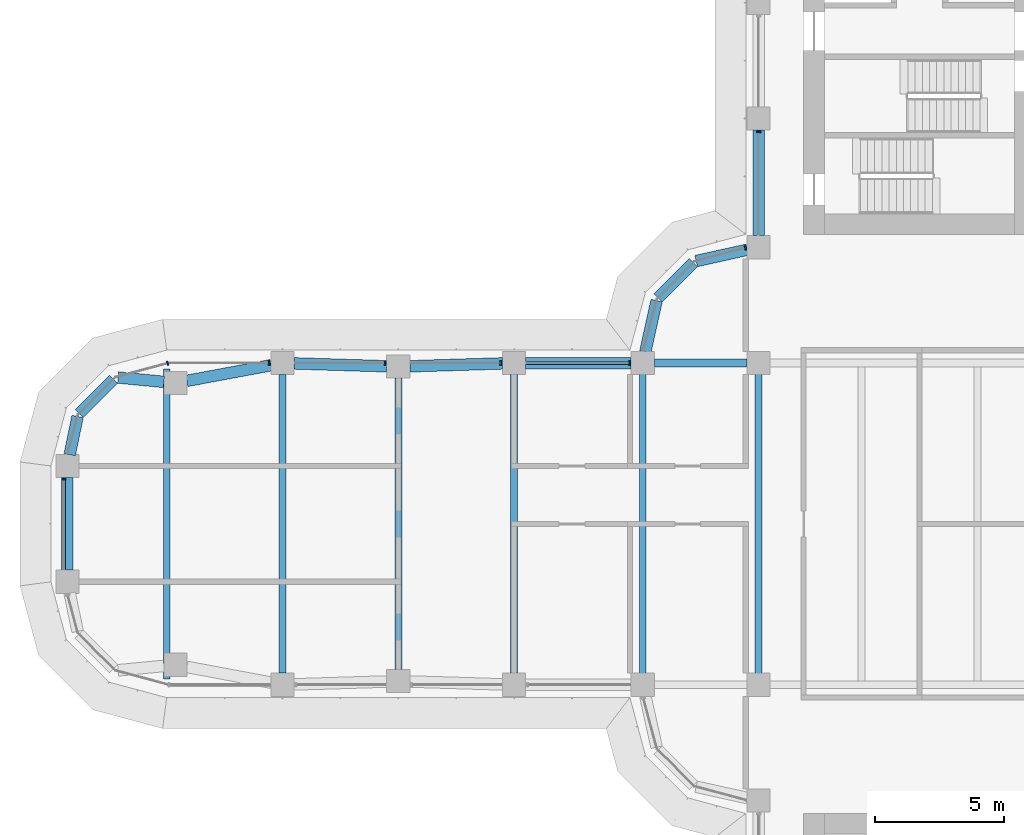
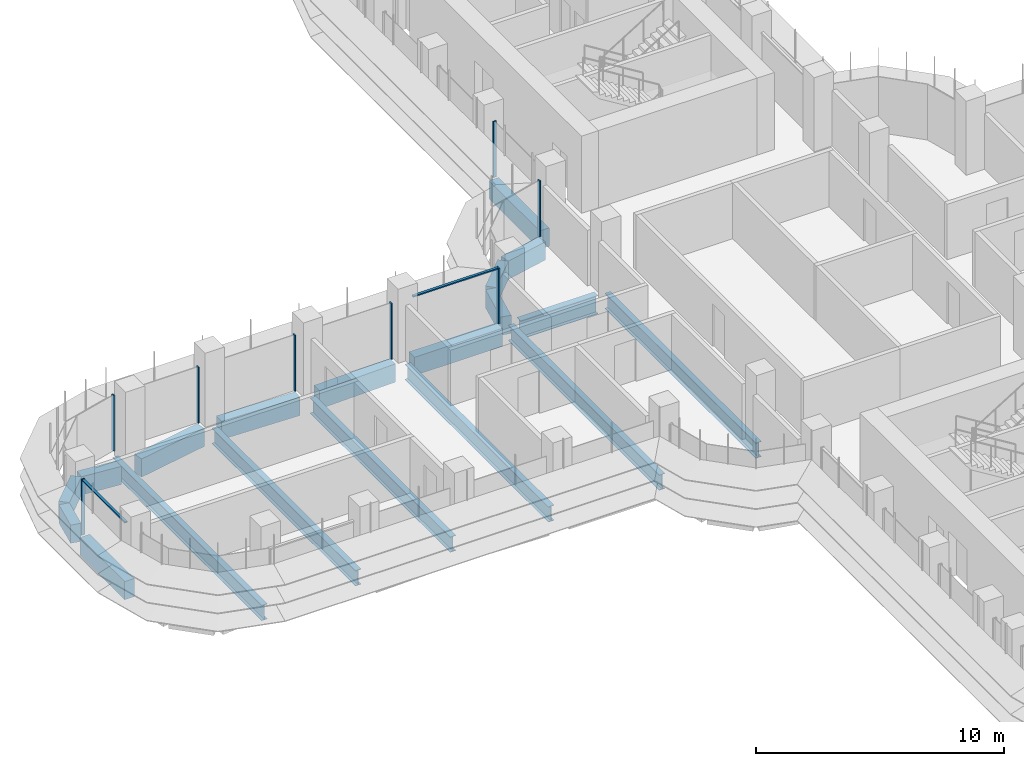
# One storey, part 6 of 22: 19 beams, 10 members, 5 elements without a shape of their own.
"""IFC4 building model written with IfcOpenShell, lengths in metres."""

from ifc_helpers import new_model, si_unit, direction, frame, origin, origin_2d, place, context, subcontext, project, spatial, polyline, rectangle, i_section, outline, extrude, source, transform, mapped, material, material_profile, profile_set, type_object, element, aggregate, save


model = new_model("IFC4")

# Units and contexts
model_context = context("Model", 3, precision=1e-05, world=origin(), true_north=direction((0.0, 1.0)))
body_context = subcontext(model_context, "Body", "Model", "MODEL_VIEW")
ifc_project = project(units=[si_unit("LENGTHUNIT", "METRE"), si_unit("AREAUNIT", "SQUARE_METRE"), si_unit("VOLUMEUNIT", "CUBIC_METRE"), si_unit("PLANEANGLEUNIT", "RADIAN"), si_unit("MASSUNIT", "GRAM", prefix="KILO")], contexts=[model_context])

# Site, building, storey
site_placement = place(None, origin())
site = spatial("IfcSite", under=ifc_project, at=site_placement, CompositionType="ELEMENT")
building_placement = place(site_placement, origin())
building = spatial("IfcBuilding", under=site, at=building_placement, Name="Zarbagh Exchange Tower", CompositionType="ELEMENT")
storey_placement = place(building_placement, frame((0.0, 0.0, 98.0)))
storey = spatial("IfcBuildingStorey", under=building, at=storey_placement, Name="L22", CompositionType="ELEMENT", Elevation=98.0)

# Beams
ifc_material_1 = material(Name="Steel ASTM A992 Gr 50", Category="steel")
ifc_material_profile_1 = material_profile(ifc_material_1, i_section(OverallWidth=0.2666015625, OverallDepth=0.7568359375, WebThickness=0.013916015625, FlangeThickness=0.019287109375, at=origin_2d()), Name="W30X108")
ifc_profile_set_1 = profile_set([ifc_material_profile_1], Name="Steel ASTM A992 Gr 50")
beam_type_1 = type_object("IfcBeamType", Name="Floor beam W30X108", PredefinedType="BEAM", material=ifc_profile_set_1)
for number, where, z_axis, x_axis, name in (
    (1, (-10.75, -6.09765625, -0.5283203125), (0.0, 1.0, 0.0), (-1.0, 0.0, 0.0), "Steel floor beam"),
    (2, (-6.25, -6.09765625, -0.5283203125), (0.0, 1.0, 0.0), (-1.0, 0.0, 0.0), "Steel floor beam"),
):
    element("IfcBeam", number, at=place(storey_placement, frame(where, z_axis=z_axis, x_axis=x_axis)), inside=storey, type_object=beam_type_1, Name=name, PredefinedType="BEAM", context=body_context, shape_type="SweptSolid", body=[
        extrude(i_section(OverallWidth=0.2666015625, OverallDepth=0.7568359375, WebThickness=0.013916015625, FlangeThickness=0.019287109375, at=origin_2d()), origin(), (0.0, 0.0, 1.0), 12.1953125),
    ])
beam_1_placement = place(storey_placement, frame((-15.75, -5.800048828125, -0.5283203125), z_axis=(0.0, 1.0, 0.0), x_axis=(-1.0, 0.0, 0.0)))
element("IfcBeam", 3, at=beam_1_placement, inside=storey, type_object=beam_type_1, Name="Steel floor beam", PredefinedType="BEAM", context=body_context, shape_type="SweptSolid", body=[
    extrude(i_section(OverallWidth=0.2666015625, OverallDepth=0.7568359375, WebThickness=0.013916015625, FlangeThickness=0.019287109375, at=origin_2d()), origin(), (0.0, 0.0, 1.0), 11.60009765625),
])
beam_2_placement = place(storey_placement, frame((-20.25, -5.659912109375, -0.5283203125), z_axis=(0.0, 1.0, 0.0), x_axis=(-1.0, 0.0, 0.0)))
element("IfcBeam", 4, at=beam_2_placement, inside=storey, type_object=beam_type_1, Name="Steel floor beam", PredefinedType="BEAM", context=body_context, shape_type="SweptSolid", body=[
    extrude(i_section(OverallWidth=0.2666015625, OverallDepth=0.7568359375, WebThickness=0.013916015625, FlangeThickness=0.019287109375, at=origin_2d()), origin(), (0.0, 0.0, 1.0), 11.31982421875),
])
beam_3_placement = place(storey_placement, frame((-24.75, -5.800048828125, -0.5283203125), z_axis=(0.0, 1.0, 0.0), x_axis=(-1.0, 0.0, 0.0)))
element("IfcBeam", 5, at=beam_3_placement, inside=storey, type_object=beam_type_1, Name="Steel floor beam", PredefinedType="BEAM", context=body_context, shape_type="SweptSolid", body=[
    extrude(i_section(OverallWidth=0.2666015625, OverallDepth=0.7568359375, WebThickness=0.013916015625, FlangeThickness=0.019287109375, at=origin_2d()), origin(), (0.0, 0.0, 1.0), 11.60009765625),
])
beam_4_placement = place(storey_placement, frame((-29.25, -6.02490234375, -0.5283203125), z_axis=(0.0, 1.0, 0.0), x_axis=(-1.0, 0.0, 0.0)))
element("IfcBeam", 6, at=beam_4_placement, inside=storey, type_object=beam_type_1, Name="Steel floor beam", PredefinedType="BEAM", context=body_context, shape_type="SweptSolid", body=[
    extrude(i_section(OverallWidth=0.2666015625, OverallDepth=0.7568359375, WebThickness=0.013916015625, FlangeThickness=0.019287109375, at=origin_2d()), origin(), (0.0, 0.0, 1.0), 12.0498046875),
])
ifc_material_profile_2 = material_profile(ifc_material_1, i_section(OverallWidth=0.3046875, OverallDepth=0.911865234375, WebThickness=0.015869140625, FlangeThickness=0.02392578125, at=origin_2d()), Name="W36X150")
ifc_profile_set_2 = profile_set([ifc_material_profile_2], Name="Steel ASTM A992 Gr 50")
beam_type_2 = type_object("IfcBeamType", Name="Floor girder W36X150", PredefinedType="BEAM", material=ifc_profile_set_2)
beam_5_placement = place(storey_placement, frame((-10.300048828125, 6.25, -0.60595703125), z_axis=(1.0, 0.0, 0.0), x_axis=(0.0, 1.0, 0.0)))
element("IfcBeam", 7, at=beam_5_placement, inside=storey, type_object=beam_type_2, Name="Steel girder", PredefinedType="BEAM", context=body_context, shape_type="SweptSolid", body=[
    extrude(i_section(OverallWidth=0.3046875, OverallDepth=0.911865234375, WebThickness=0.015869140625, FlangeThickness=0.02392578125, at=origin_2d()), origin(), (0.0, 0.0, 1.0), 3.60009765625),
])
ifc_material_2 = material(Name="Concrete C60/75", Category="concrete")
ifc_material_profile_3 = material_profile(ifc_material_2, rectangle(XDim=0.449951171875, YDim=0.89990234375, at=origin_2d()), Name="RC spandrel beam 450 x 900 C60/75")
ifc_profile_set_3 = profile_set([ifc_material_profile_3], Name="Concrete C60/75")
beam_type_3 = type_object("IfcBeamType", Name="RC spandrel beam 450 x 900 C60/75", PredefinedType="SPANDREL", material=ifc_profile_set_3)
beam_6_placement = place(storey_placement, frame((-33.110107421875, -1.800048828125, -0.60009765625), z_axis=(0.0, 1.0, 0.0), x_axis=(-1.0, 0.0, 0.0)))
element("IfcBeam", 8, at=beam_6_placement, inside=storey, type_object=beam_type_3, Name="RC spandrel beam", PredefinedType="SPANDREL", context=body_context, shape_type="SweptSolid", body=[
    extrude(rectangle(XDim=0.449951171875, YDim=0.89990234375, at=origin_2d()), origin(), (0.0, 0.0, 1.0), 3.60009765625),
])
beam_7_placement = place(storey_placement, frame((-33.01904296875, 2.690673828125, -0.60009765625), z_axis=(0.202275417995, 0.979328675816, 0.0), x_axis=(-0.979328675816, 0.202275417995, 0.0)))
element("IfcBeam", 9, at=beam_7_placement, inside=storey, type_object=beam_type_3, Name="RC spandrel beam", PredefinedType="SPANDREL", context=body_context, shape_type="SweptSolid", body=[
    extrude(rectangle(XDim=0.449951171875, YDim=0.89990234375, at=origin_2d()), origin(), (0.0, 0.0, 1.0), 1.515869140625),
])
beam_8_placement = place(storey_placement, frame((-32.651123046875, 4.288818359375, -0.60009765625), z_axis=(0.707106781187, 0.707106781187, 0.0), x_axis=(-0.707106781187, 0.707106781187, 0.0)))
element("IfcBeam", 10, at=beam_8_placement, inside=storey, type_object=beam_type_3, Name="RC spandrel beam", PredefinedType="SPANDREL", context=body_context, shape_type="SweptSolid", body=[
    extrude(rectangle(XDim=0.449951171875, YDim=0.89990234375, at=origin_2d()), origin(), (0.0, 0.0, 1.0), 1.887939453125),
])
beam_9_placement = place(storey_placement, frame((-31.135498046875, 5.688720703125, -0.60009765625), z_axis=(0.995433267802, -0.095459988228, 0.0), x_axis=(0.095459988228, 0.995433267802, 0.0)))
element("IfcBeam", 11, at=beam_9_placement, inside=storey, type_object=beam_type_3, Name="RC spandrel beam", PredefinedType="SPANDREL", context=body_context, shape_type="SweptSolid", body=[
    extrude(rectangle(XDim=0.449951171875, YDim=0.89990234375, at=origin_2d()), origin(), (0.0, 0.0, 1.0), 1.78759765625),
])
beam_10_placement = place(storey_placement, frame((-28.465576171875, 5.5576171875, -0.60009765625), z_axis=(0.98308156541, 0.183168326277, 0.0), x_axis=(-0.183168326277, 0.98308156541, 0.0)))
element("IfcBeam", 12, at=beam_10_placement, inside=storey, type_object=beam_type_3, Name="RC spandrel beam", PredefinedType="SPANDREL", context=body_context, shape_type="SweptSolid", body=[
    extrude(rectangle(XDim=0.449951171875, YDim=0.89990234375, at=origin_2d()), origin(), (0.0, 0.0, 1.0), 3.32958984375),
])
for number, where, z_axis, x_axis, name in (
    (13, (-24.30029296875, 6.236083984375, -0.60009765625), (0.999516035224, -0.031107801747, 0.0), (0.031107801747, 0.999516035224, 0.0), "RC spandrel beam"),
    (14, (-19.80029296875, 6.1240234375, -0.60009765625), (0.999516035224, 0.031107801747, 0.0), (-0.031107801747, 0.999516035224, 0.0), "RC spandrel beam"),
):
    element("IfcBeam", number, at=place(storey_placement, frame(where, z_axis=z_axis, x_axis=x_axis)), inside=storey, type_object=beam_type_3, Name=name, PredefinedType="SPANDREL", context=body_context, shape_type="SweptSolid", body=[
        extrude(rectangle(XDim=0.449951171875, YDim=0.89990234375, at=origin_2d()), origin(), (0.0, 0.0, 1.0), 3.602294921875),
    ])
beam_11_placement = place(storey_placement, frame((-15.300048828125, 6.25, -0.60009765625), z_axis=(1.0, 0.0, 0.0), x_axis=(0.0, 1.0, 0.0)))
element("IfcBeam", 15, at=beam_11_placement, inside=storey, type_object=beam_type_3, Name="RC spandrel beam", PredefinedType="SPANDREL", context=body_context, shape_type="SweptSolid", body=[
    extrude(rectangle(XDim=0.449951171875, YDim=0.89990234375, at=origin_2d()), origin(), (0.0, 0.0, 1.0), 4.10009765625),
])
beam_12_placement = place(storey_placement, frame((-10.65283203125, 6.689453125, -0.60009765625), z_axis=(0.216117666208, 0.976367325525, 0.0), x_axis=(-0.976367325525, 0.216117666208, 0.0)))
element("IfcBeam", 16, at=beam_12_placement, inside=storey, type_object=beam_type_3, Name="RC spandrel beam", PredefinedType="SPANDREL", context=body_context, shape_type="SweptSolid", body=[
    extrude(rectangle(XDim=0.449951171875, YDim=0.89990234375, at=origin_2d()), origin(), (0.0, 0.0, 1.0), 2.03564453125),
])
beam_13_placement = place(storey_placement, frame((-10.15234375, 8.78759765625, -0.60009765625), z_axis=(0.707106781187, 0.707106781187, 0.0), x_axis=(-0.707106781187, 0.707106781187, 0.0)))
element("IfcBeam", 17, at=beam_13_placement, inside=storey, type_object=beam_type_3, Name="RC spandrel beam", PredefinedType="SPANDREL", context=body_context, shape_type="SweptSolid", body=[
    extrude(rectangle(XDim=0.449951171875, YDim=0.89990234375, at=origin_2d()), origin(), (0.0, 0.0, 1.0), 1.929931640625),
])
beam_14_placement = place(storey_placement, frame((-8.677001953125, 10.212890625, -0.60009765625), z_axis=(0.976367325525, 0.216117666208, 0.0), x_axis=(-0.216117666208, 0.976367325525, 0.0)))
element("IfcBeam", 18, at=beam_14_placement, inside=storey, type_object=beam_type_3, Name="RC spandrel beam", PredefinedType="SPANDREL", context=body_context, shape_type="SweptSolid", body=[
    extrude(rectangle(XDim=0.449951171875, YDim=0.89990234375, at=origin_2d()), origin(), (0.0, 0.0, 1.0), 2.03564453125),
])
beam_15_placement = place(storey_placement, frame((-6.25, 11.199951171875, -0.60009765625), z_axis=(0.0, 1.0, 0.0), x_axis=(-1.0, 0.0, 0.0)))
element("IfcBeam", 19, at=beam_15_placement, inside=storey, type_object=beam_type_3, Name="RC spandrel beam", PredefinedType="SPANDREL", context=body_context, shape_type="SweptSolid", body=[
    extrude(rectangle(XDim=0.449951171875, YDim=0.89990234375, at=origin_2d()), origin(), (0.0, 0.0, 1.0), 4.10009765625),
])

# Curtain wall, member
ifc_material_3 = material(Name="Anodised aluminium frame and glazing", Category="aluminium")
curtain_wall_type = type_object("IfcCurtainWallType", Name="CWA Ribbon glazing, lower zones", PredefinedType="NOTDEFINED", material=ifc_material_3)
curtain_wall_1_placement = place(storey_placement, origin())
curtain_wall_1 = element("IfcCurtainWall", 20, at=curtain_wall_1_placement, inside=storey, type_object=curtain_wall_type, Name="CWA56 curtain wall", PredefinedType="NOTDEFINED")
ifc_material_4 = material(Name="Anodised aluminium frame", Category="aluminium")
member_type_1 = type_object("IfcMemberType", Name="MUA Mullion, anodised aluminium frame", PredefinedType="MULLION", material=ifc_material_4)
shared_shape_1 = source(origin(), body_context, "Body", "SweptSolid", [
    extrude(outline(polyline([(0.0, -0.080078125), (0.06005859375, -0.080078125), (0.06005859375, 0.080078125), (0.0, 0.080078125), (0.0, -0.080078125)])), origin(), (0.0, 0.0, 1.0), 2.75),
])
placement = place(storey_placement, origin())
member_1 = element("IfcMember", 21, at=placement, type_object=member_type_1, Name="CWA56 mullion 4.1", PredefinedType="MULLION", context=body_context, shape_type="MappedRepresentation", body=[
    mapped(shared_shape_1, transform((-6.25, 15.260009765625, 0.0), x_axis=(0.0, -1.0, 0.0), y_axis=(1.0, 0.0, 0.0), z_axis=(0.0, 0.0, 1.0))),
])
aggregate(curtain_wall_1, [member_1])

curtain_wall_2_placement = place(storey_placement, origin())
curtain_wall_2 = element("IfcCurtainWall", 22, at=curtain_wall_2_placement, inside=storey, type_object=curtain_wall_type, Name="CWA29 curtain wall", PredefinedType="NOTDEFINED")
member_2 = element("IfcMember", 23, at=placement, type_object=member_type_1, Name="CWA29 mullion 1.1", PredefinedType="MULLION", context=body_context, shape_type="MappedRepresentation", body=[
    mapped(shared_shape_1, transform((-6.739990234375, 10.735107421875, 0.0), x_axis=(-0.965924289636, -0.258824779902, 0.0), y_axis=(0.258824779902, -0.965924289636, 0.0), z_axis=(0.0, 0.0, 1.0))),
])
aggregate(curtain_wall_2, [member_2])

# Curtain wall, members
curtain_wall_3_placement = place(storey_placement, origin())
curtain_wall_3 = element("IfcCurtainWall", 24, at=curtain_wall_3_placement, inside=storey, type_object=curtain_wall_type, Name="CWA32 curtain wall", PredefinedType="NOTDEFINED")
member_3 = element("IfcMember", 25, at=placement, type_object=member_type_1, Name="CWA32 mullion 1.1", PredefinedType="MULLION", context=body_context, shape_type="MappedRepresentation", body=[
    mapped(shared_shape_1, transform((-11.239990234375, 6.25, 0.0), x_axis=(-1.0, 0.0, 0.0), y_axis=(0.0, -1.0, 0.0), z_axis=(0.0, 0.0, 1.0))),
])
member_4 = element("IfcMember", 26, at=placement, type_object=member_type_1, Name="CWA32 mullion 2.1", PredefinedType="MULLION", context=body_context, shape_type="MappedRepresentation", body=[
    mapped(shared_shape_1, transform((-16.239990234375, 6.25, 0.0), x_axis=(-1.0, 0.0, 0.0), y_axis=(0.0, -1.0, 0.0), z_axis=(0.0, 0.0, 1.0))),
])
member_5 = element("IfcMember", 27, at=placement, type_object=member_type_1, Name="CWA32 mullion 3.1", PredefinedType="MULLION", context=body_context, shape_type="MappedRepresentation", body=[
    mapped(shared_shape_1, transform((-20.739990234375, 6.25, 0.0), x_axis=(-1.0, 0.0, 0.0), y_axis=(0.0, -1.0, 0.0), z_axis=(0.0, 0.0, 1.0))),
])
member_6 = element("IfcMember", 28, at=placement, type_object=member_type_1, Name="CWA32 mullion 4.1", PredefinedType="MULLION", context=body_context, shape_type="MappedRepresentation", body=[
    mapped(shared_shape_1, transform((-25.239990234375, 6.25, 0.0), x_axis=(-1.0, 0.0, 0.0), y_axis=(0.0, -1.0, 0.0), z_axis=(0.0, 0.0, 1.0))),
])

# Curtain wall, member
curtain_wall_4_placement = place(storey_placement, origin())
curtain_wall_4 = element("IfcCurtainWall", 29, at=curtain_wall_4_placement, inside=storey, type_object=curtain_wall_type, Name="CWA33 curtain wall", PredefinedType="NOTDEFINED")
member_7 = element("IfcMember", 30, at=placement, type_object=member_type_1, Name="CWA33 mullion 1.1", PredefinedType="MULLION", context=body_context, shape_type="MappedRepresentation", body=[
    mapped(shared_shape_1, transform((-29.18408203125, 6.25, 0.0), x_axis=(-0.965924289636, -0.258824779902, 0.0), y_axis=(0.258824779902, -0.965924289636, 0.0), z_axis=(0.0, 0.0, 1.0))),
])
aggregate(curtain_wall_4, [member_7])

curtain_wall_5_placement = place(storey_placement, origin())
curtain_wall_5 = element("IfcCurtainWall", 31, at=curtain_wall_5_placement, inside=storey, type_object=curtain_wall_type, Name="CWA36 curtain wall", PredefinedType="NOTDEFINED")
member_8 = element("IfcMember", 32, at=placement, type_object=member_type_1, Name="CWA36 mullion 1.1", PredefinedType="MULLION", context=body_context, shape_type="MappedRepresentation", body=[
    mapped(shared_shape_1, transform((-33.25, 1.760009765625, 0.0), x_axis=(0.0, -1.0, 0.0), y_axis=(1.0, 0.0, 0.0), z_axis=(0.0, 0.0, 1.0))),
])

# Member
member_type_2 = type_object("IfcMemberType", Name="TRA Transom, anodised aluminium frame", PredefinedType="USERDEFINED", material=ifc_material_4)
shared_shape_2 = source(origin(), body_context, "Body", "SweptSolid", [
    extrude(outline(polyline([(-0.06005859375, -0.06005859375), (0.0, -0.06005859375), (0.0, 0.06005859375), (-0.06005859375, 0.06005859375), (-0.06005859375, -0.06005859375)])), origin(), (0.0, 0.0, 1.0), 3.9599609375),
])
member_9 = element("IfcMember", 33, at=placement, type_object=member_type_2, Name="CWA32 transom 1.1", ObjectType="TRANSOM", PredefinedType="USERDEFINED", context=body_context, shape_type="MappedRepresentation", body=[
    mapped(shared_shape_2, transform((-11.300048828125, 6.25, 2.75), x_axis=(0.0, 0.0, 1.0), y_axis=(0.0, 1.0, 0.0), z_axis=(-1.0, 0.0, 0.0))),
])

aggregate(curtain_wall_3, [member_3, member_9, member_4, member_5, member_6])

shared_shape_3 = source(origin(), body_context, "Body", "SweptSolid", [
    extrude(outline(polyline([(-0.06005859375, -0.06005859375), (0.0, -0.06005859375), (0.0, 0.06005859375), (-0.06005859375, 0.06005859375), (-0.06005859375, -0.06005859375)])), origin(), (0.0, 0.0, 1.0), 3.4599609375),
])
member_10 = element("IfcMember", 34, at=placement, type_object=member_type_2, Name="CWA36 transom 1.1", ObjectType="TRANSOM", PredefinedType="USERDEFINED", context=body_context, shape_type="MappedRepresentation", body=[
    mapped(shared_shape_3, transform((-33.25, 1.699951171875, 2.75), x_axis=(0.0, 0.0, 1.0), y_axis=(-1.0, 0.0, 0.0), z_axis=(0.0, -1.0, 0.0))),
])

aggregate(curtain_wall_5, [member_8, member_10])

save(model, "model.ifc")
